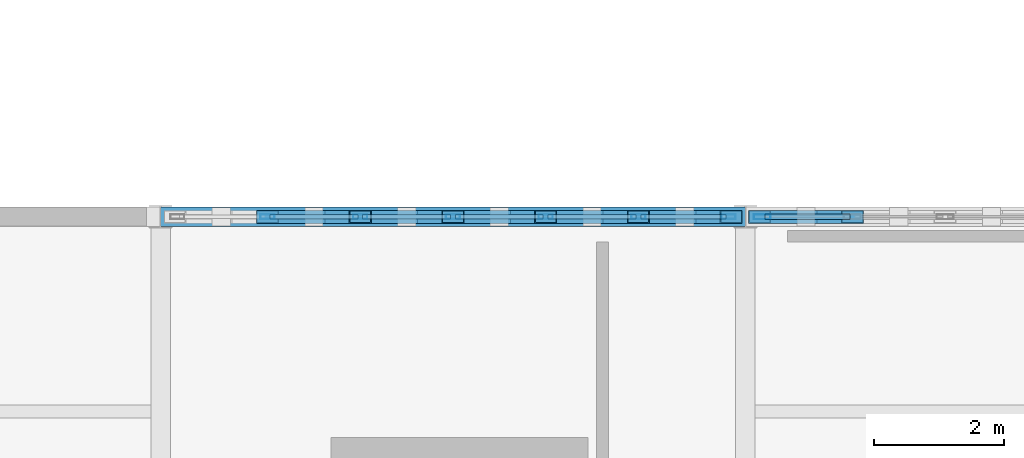
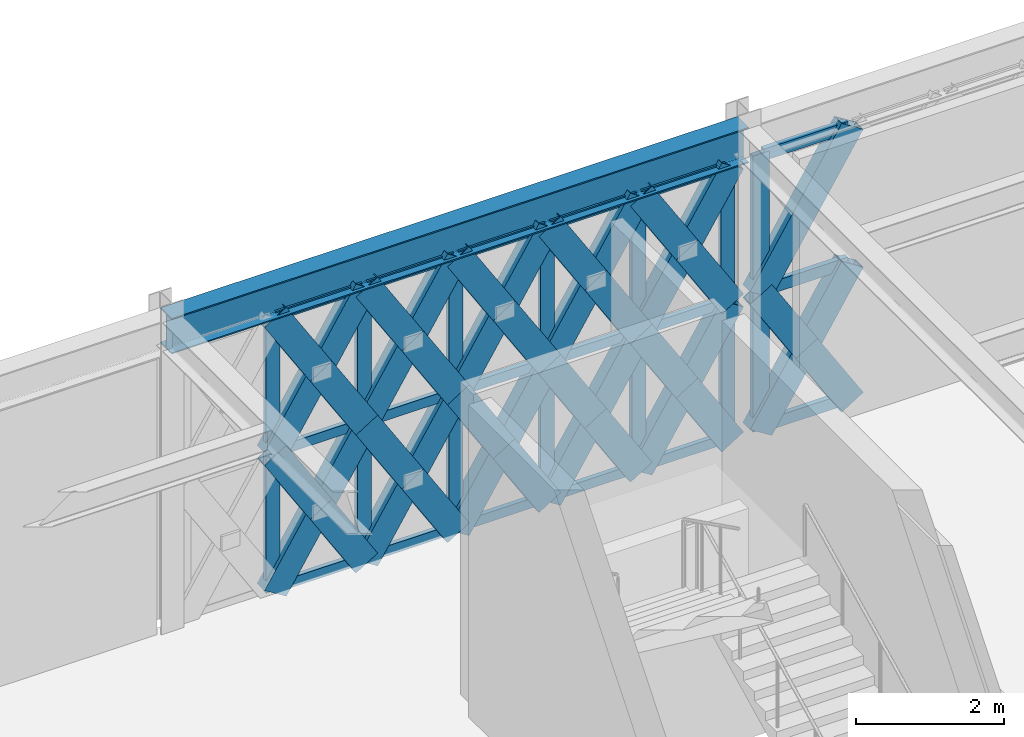
# One storey, part 118 of 166: 59 members, 1 beam, 2 elements without a shape of their own.
"""IFC4 building model written with IfcOpenShell, lengths in metres."""

from ifc_helpers import new_model, si_unit, direction, frame, origin, origin_2d, place, context, subcontext, project, spatial, hollow_rectangle, i_section, extrude, material, material_profile, profile_set, type_object, element, aggregate, save


model = new_model("IFC4")

# Units and contexts
model_context = context("Model", 3, precision=1e-05, world=origin(), true_north=direction((0.0, 1.0)))
body_context = subcontext(model_context, "Body", "Model", "MODEL_VIEW")
ifc_project = project(units=[si_unit("LENGTHUNIT", "METRE"), si_unit("AREAUNIT", "SQUARE_METRE"), si_unit("VOLUMEUNIT", "CUBIC_METRE"), si_unit("PLANEANGLEUNIT", "RADIAN"), si_unit("MASSUNIT", "GRAM", prefix="KILO")], contexts=[model_context])

# Site, building, storey
site_placement = place(None, origin())
site = spatial("IfcSite", under=ifc_project, at=site_placement, CompositionType="ELEMENT")
building_placement = place(site_placement, origin())
building = spatial("IfcBuilding", under=site, at=building_placement, Name="Haizhuo Lancet Aquarium", CompositionType="ELEMENT")
storey_placement = place(building_placement, frame((0.0, 0.0, 5.39990234375)))
storey = spatial("IfcBuildingStorey", under=building, at=storey_placement, Name="L01", CompositionType="ELEMENT", Elevation=5.39990234375)

# Beam
ifc_material_1 = material(Name="Steel S355", Category="steel")
ifc_material_profile_1 = material_profile(ifc_material_1, i_section(OverallWidth=0.300048828125, OverallDepth=0.587890625, WebThickness=0.011962890625, FlangeThickness=0.02001953125, FilletRadius=0.02587890625, at=origin_2d()), Name="HM 588x300x12x20")
ifc_profile_set_1 = profile_set([ifc_material_profile_1], Name="Steel S355")
beam_type = type_object("IfcBeamType", Name="BM-ST-HM588", PredefinedType="BEAM", material=ifc_profile_set_1)
beam_placement = place(storey_placement, frame((45.0, 36.0, 4.84619140625), z_axis=(1.0, 0.0, 0.0), x_axis=(0.0, 1.0, 0.0)))
element("IfcBeam", 1, at=beam_placement, inside=storey, type_object=beam_type, Name="L01 V7 primary girder BM-L01-V7-013", PredefinedType="BEAM", context=body_context, shape_type="SweptSolid", body=[
    extrude(i_section(OverallWidth=0.300048828125, OverallDepth=0.587890625, WebThickness=0.011962890625, FlangeThickness=0.02001953125, FilletRadius=0.02587890625, at=origin_2d()), origin(), (0.0, 0.0, 1.0), 9.0),
])

# Curtain wall, members
ifc_material_2 = material(Name="Aluminium 6063-T6", Category="aluminium")
curtain_wall_type = type_object("IfcCurtainWallType", Name="CWD-8560x4550", PredefinedType="NOTDEFINED", material=ifc_material_2)
curtain_wall_1_placement = place(storey_placement, origin())
curtain_wall_1 = element("IfcCurtainWall", 2, at=curtain_wall_1_placement, inside=storey, type_object=curtain_wall_type, Name="L01 curtain wall CW-V7-L01-284", PredefinedType="NOTDEFINED")
ifc_material_profile_2 = material_profile(ifc_material_2, hollow_rectangle(XDim=0.074951171875, YDim=0.219970703125, WallThickness=0.0048828125, at=origin_2d()), Name="ALU-M 75x220x5")
ifc_profile_set_2 = profile_set([ifc_material_profile_2], Name="Aluminium 6063-T6")
member_type_1 = type_object("IfcMemberType", Name="CW-MUL-2", PredefinedType="MULLION", material=ifc_profile_set_2)
member_1_placement = place(storey_placement, frame((46.64697265625, 36.0, 0.0), z_axis=(0.0, 0.0, 1.0), x_axis=(0.0, 1.0, 0.0)))
member_1 = element("IfcMember", 3, at=member_1_placement, type_object=member_type_1, Name="CWD-85x45 mullion 2", PredefinedType="MULLION", context=body_context, shape_type="SweptSolid", body=[
    extrude(hollow_rectangle(XDim=0.074951171875, YDim=0.219970703125, WallThickness=0.0048828125, at=origin_2d()), origin(), (0.0, 0.0, 1.0), 4.552001953125),
])
member_2_placement = place(storey_placement, frame((48.072998046875, 36.0, 0.0), z_axis=(0.0, 0.0, 1.0), x_axis=(0.0, 1.0, 0.0)))
member_2 = element("IfcMember", 4, at=member_2_placement, type_object=member_type_1, Name="CWD-85x45 mullion 3", PredefinedType="MULLION", context=body_context, shape_type="SweptSolid", body=[
    extrude(hollow_rectangle(XDim=0.074951171875, YDim=0.219970703125, WallThickness=0.0048828125, at=origin_2d()), origin(), (0.0, 0.0, 1.0), 4.552001953125),
])
member_3_placement = place(storey_placement, frame((49.5, 36.0, 0.0), z_axis=(0.0, 0.0, 1.0), x_axis=(0.0, 1.0, 0.0)))
member_3 = element("IfcMember", 5, at=member_3_placement, type_object=member_type_1, Name="CWD-85x45 mullion 4", PredefinedType="MULLION", context=body_context, shape_type="SweptSolid", body=[
    extrude(hollow_rectangle(XDim=0.074951171875, YDim=0.219970703125, WallThickness=0.0048828125, at=origin_2d()), origin(), (0.0, 0.0, 1.0), 4.552001953125),
])
member_4_placement = place(storey_placement, frame((50.927001953125, 36.0, 0.0), z_axis=(0.0, 0.0, 1.0), x_axis=(0.0, 1.0, 0.0)))
member_4 = element("IfcMember", 6, at=member_4_placement, type_object=member_type_1, Name="CWD-85x45 mullion 5", PredefinedType="MULLION", context=body_context, shape_type="SweptSolid", body=[
    extrude(hollow_rectangle(XDim=0.074951171875, YDim=0.219970703125, WallThickness=0.0048828125, at=origin_2d()), origin(), (0.0, 0.0, 1.0), 4.552001953125),
])
member_5_placement = place(storey_placement, frame((52.35302734375, 36.0, 0.0), z_axis=(0.0, 0.0, 1.0), x_axis=(0.0, 1.0, 0.0)))
member_5 = element("IfcMember", 7, at=member_5_placement, type_object=member_type_1, Name="CWD-85x45 mullion 6", PredefinedType="MULLION", context=body_context, shape_type="SweptSolid", body=[
    extrude(hollow_rectangle(XDim=0.074951171875, YDim=0.219970703125, WallThickness=0.0048828125, at=origin_2d()), origin(), (0.0, 0.0, 1.0), 4.552001953125),
])
member_6_placement = place(storey_placement, frame((53.741943359375, 36.0, 0.0), z_axis=(0.0, 0.0, 1.0), x_axis=(0.0, 1.0, 0.0)))
member_6 = element("IfcMember", 8, at=member_6_placement, type_object=member_type_1, Name="CWD-85x45 mullion 7", PredefinedType="MULLION", context=body_context, shape_type="SweptSolid", body=[
    extrude(hollow_rectangle(XDim=0.074951171875, YDim=0.219970703125, WallThickness=0.0048828125, at=origin_2d()), origin(), (0.0, 0.0, 1.0), 4.552001953125),
])

# Curtain wall, member
curtain_wall_2_placement = place(storey_placement, origin())
curtain_wall_2 = element("IfcCurtainWall", 9, at=curtain_wall_2_placement, inside=storey, type_object=curtain_wall_type, Name="L01 curtain wall CW-V7-L01-285", PredefinedType="NOTDEFINED")
ifc_material_profile_3 = material_profile(ifc_material_2, hollow_rectangle(XDim=0.080078125, YDim=0.260009765625, WallThickness=0.0048828125, at=origin_2d()), Name="ALU-M 80x260x5")
ifc_profile_set_3 = profile_set([ifc_material_profile_3], Name="Aluminium 6063-T6")
member_type_2 = type_object("IfcMemberType", Name="CW-MUL-3", PredefinedType="MULLION", material=ifc_profile_set_3)
member_7_placement = place(storey_placement, frame((54.260009765625, 36.0, 0.0), z_axis=(0.0, 0.0, 1.0), x_axis=(0.0, 1.0, 0.0)))
member_7 = element("IfcMember", 10, at=member_7_placement, type_object=member_type_2, Name="CWD-85x45 mullion 1", PredefinedType="MULLION", context=body_context, shape_type="SweptSolid", body=[
    extrude(hollow_rectangle(XDim=0.080078125, YDim=0.260009765625, WallThickness=0.0048828125, at=origin_2d()), origin(), (0.0, 0.0, 1.0), 4.552001953125),
])

# Member
ifc_material_profile_4 = material_profile(ifc_material_2, hollow_rectangle(XDim=0.074951171875, YDim=0.159912109375, WallThickness=0.00390625, at=origin_2d()), Name="ALU-T 75x160x4")
ifc_profile_set_4 = profile_set([ifc_material_profile_4], Name="Aluminium 6063-T6")
member_type_3 = type_object("IfcMemberType", Name="CW-TRN-2", PredefinedType="NOTDEFINED", material=ifc_profile_set_4)
member_8_placement = place(storey_placement, frame((46.68408203125, 36.0, 0.0380859375), z_axis=(1.0, 0.0, 0.0), x_axis=(0.0, 1.0, 0.0)))
member_8 = element("IfcMember", 11, at=member_8_placement, type_object=member_type_3, Name="CWD-85x45 transom 2.1", ObjectType="TRANSOM", PredefinedType="USERDEFINED", context=body_context, shape_type="SweptSolid", body=[
    extrude(hollow_rectangle(XDim=0.074951171875, YDim=0.159912109375, WallThickness=0.00390625, at=origin_2d()), origin(), (0.0, 0.0, 1.0), 1.351806640625),
])

member_9_placement = place(storey_placement, frame((46.68408203125, 36.0, 2.276123046875), z_axis=(1.0, 0.0, 0.0), x_axis=(0.0, 1.0, 0.0)))
member_9 = element("IfcMember", 12, at=member_9_placement, type_object=member_type_3, Name="CWD-85x45 transom 2.2", ObjectType="TRANSOM", PredefinedType="USERDEFINED", context=body_context, shape_type="SweptSolid", body=[
    extrude(hollow_rectangle(XDim=0.074951171875, YDim=0.159912109375, WallThickness=0.00390625, at=origin_2d()), origin(), (0.0, 0.0, 1.0), 1.351806640625),
])

member_10_placement = place(storey_placement, frame((46.68408203125, 36.0, 4.51513671875), z_axis=(1.0, 0.0, 0.0), x_axis=(0.0, 1.0, 0.0)))
member_10 = element("IfcMember", 13, at=member_10_placement, type_object=member_type_3, Name="CWD-85x45 transom 2.3", ObjectType="TRANSOM", PredefinedType="USERDEFINED", context=body_context, shape_type="SweptSolid", body=[
    extrude(hollow_rectangle(XDim=0.074951171875, YDim=0.159912109375, WallThickness=0.00390625, at=origin_2d()), origin(), (0.0, 0.0, 1.0), 1.351806640625),
])

member_11_placement = place(storey_placement, frame((48.111083984375, 36.0, 0.0380859375), z_axis=(1.0, 0.0, 0.0), x_axis=(0.0, 1.0, 0.0)))
member_11 = element("IfcMember", 14, at=member_11_placement, type_object=member_type_3, Name="CWD-85x45 transom 3.1", ObjectType="TRANSOM", PredefinedType="USERDEFINED", context=body_context, shape_type="SweptSolid", body=[
    extrude(hollow_rectangle(XDim=0.074951171875, YDim=0.159912109375, WallThickness=0.00390625, at=origin_2d()), origin(), (0.0, 0.0, 1.0), 1.350830078125),
])

member_12_placement = place(storey_placement, frame((48.111083984375, 36.0, 2.276123046875), z_axis=(1.0, 0.0, 0.0), x_axis=(0.0, 1.0, 0.0)))
member_12 = element("IfcMember", 15, at=member_12_placement, type_object=member_type_3, Name="CWD-85x45 transom 3.2", ObjectType="TRANSOM", PredefinedType="USERDEFINED", context=body_context, shape_type="SweptSolid", body=[
    extrude(hollow_rectangle(XDim=0.074951171875, YDim=0.159912109375, WallThickness=0.00390625, at=origin_2d()), origin(), (0.0, 0.0, 1.0), 1.350830078125),
])

member_13_placement = place(storey_placement, frame((48.111083984375, 36.0, 4.51513671875), z_axis=(1.0, 0.0, 0.0), x_axis=(0.0, 1.0, 0.0)))
member_13 = element("IfcMember", 16, at=member_13_placement, type_object=member_type_3, Name="CWD-85x45 transom 3.3", ObjectType="TRANSOM", PredefinedType="USERDEFINED", context=body_context, shape_type="SweptSolid", body=[
    extrude(hollow_rectangle(XDim=0.074951171875, YDim=0.159912109375, WallThickness=0.00390625, at=origin_2d()), origin(), (0.0, 0.0, 1.0), 1.350830078125),
])

member_14_placement = place(storey_placement, frame((49.5380859375, 36.0, 0.0380859375), z_axis=(1.0, 0.0, 0.0), x_axis=(0.0, 1.0, 0.0)))
member_14 = element("IfcMember", 17, at=member_14_placement, type_object=member_type_3, Name="CWD-85x45 transom 4.1", ObjectType="TRANSOM", PredefinedType="USERDEFINED", context=body_context, shape_type="SweptSolid", body=[
    extrude(hollow_rectangle(XDim=0.074951171875, YDim=0.159912109375, WallThickness=0.00390625, at=origin_2d()), origin(), (0.0, 0.0, 1.0), 1.350830078125),
])

member_15_placement = place(storey_placement, frame((49.5380859375, 36.0, 2.276123046875), z_axis=(1.0, 0.0, 0.0), x_axis=(0.0, 1.0, 0.0)))
member_15 = element("IfcMember", 18, at=member_15_placement, type_object=member_type_3, Name="CWD-85x45 transom 4.2", ObjectType="TRANSOM", PredefinedType="USERDEFINED", context=body_context, shape_type="SweptSolid", body=[
    extrude(hollow_rectangle(XDim=0.074951171875, YDim=0.159912109375, WallThickness=0.00390625, at=origin_2d()), origin(), (0.0, 0.0, 1.0), 1.350830078125),
])

member_16_placement = place(storey_placement, frame((49.5380859375, 36.0, 4.51513671875), z_axis=(1.0, 0.0, 0.0), x_axis=(0.0, 1.0, 0.0)))
member_16 = element("IfcMember", 19, at=member_16_placement, type_object=member_type_3, Name="CWD-85x45 transom 4.3", ObjectType="TRANSOM", PredefinedType="USERDEFINED", context=body_context, shape_type="SweptSolid", body=[
    extrude(hollow_rectangle(XDim=0.074951171875, YDim=0.159912109375, WallThickness=0.00390625, at=origin_2d()), origin(), (0.0, 0.0, 1.0), 1.350830078125),
])

member_17_placement = place(storey_placement, frame((50.964111328125, 36.0, 0.0380859375), z_axis=(1.0, 0.0, 0.0), x_axis=(0.0, 1.0, 0.0)))
member_17 = element("IfcMember", 20, at=member_17_placement, type_object=member_type_3, Name="CWD-85x45 transom 5.1", ObjectType="TRANSOM", PredefinedType="USERDEFINED", context=body_context, shape_type="SweptSolid", body=[
    extrude(hollow_rectangle(XDim=0.074951171875, YDim=0.159912109375, WallThickness=0.00390625, at=origin_2d()), origin(), (0.0, 0.0, 1.0), 1.351806640625),
])

member_18_placement = place(storey_placement, frame((50.964111328125, 36.0, 2.276123046875), z_axis=(1.0, 0.0, 0.0), x_axis=(0.0, 1.0, 0.0)))
member_18 = element("IfcMember", 21, at=member_18_placement, type_object=member_type_3, Name="CWD-85x45 transom 5.2", ObjectType="TRANSOM", PredefinedType="USERDEFINED", context=body_context, shape_type="SweptSolid", body=[
    extrude(hollow_rectangle(XDim=0.074951171875, YDim=0.159912109375, WallThickness=0.00390625, at=origin_2d()), origin(), (0.0, 0.0, 1.0), 1.351806640625),
])

member_19_placement = place(storey_placement, frame((50.964111328125, 36.0, 4.51513671875), z_axis=(1.0, 0.0, 0.0), x_axis=(0.0, 1.0, 0.0)))
member_19 = element("IfcMember", 22, at=member_19_placement, type_object=member_type_3, Name="CWD-85x45 transom 5.3", ObjectType="TRANSOM", PredefinedType="USERDEFINED", context=body_context, shape_type="SweptSolid", body=[
    extrude(hollow_rectangle(XDim=0.074951171875, YDim=0.159912109375, WallThickness=0.00390625, at=origin_2d()), origin(), (0.0, 0.0, 1.0), 1.351806640625),
])

member_20_placement = place(storey_placement, frame((52.39111328125, 36.0, 0.0380859375), z_axis=(1.0, 0.0, 0.0), x_axis=(0.0, 1.0, 0.0)))
member_20 = element("IfcMember", 23, at=member_20_placement, type_object=member_type_3, Name="CWD-85x45 transom 6.1", ObjectType="TRANSOM", PredefinedType="USERDEFINED", context=body_context, shape_type="SweptSolid", body=[
    extrude(hollow_rectangle(XDim=0.074951171875, YDim=0.159912109375, WallThickness=0.00390625, at=origin_2d()), origin(), (0.0, 0.0, 1.0), 1.31396484375),
])

member_21_placement = place(storey_placement, frame((52.39111328125, 36.0, 2.276123046875), z_axis=(1.0, 0.0, 0.0), x_axis=(0.0, 1.0, 0.0)))
member_21 = element("IfcMember", 24, at=member_21_placement, type_object=member_type_3, Name="CWD-85x45 transom 6.2", ObjectType="TRANSOM", PredefinedType="USERDEFINED", context=body_context, shape_type="SweptSolid", body=[
    extrude(hollow_rectangle(XDim=0.074951171875, YDim=0.159912109375, WallThickness=0.00390625, at=origin_2d()), origin(), (0.0, 0.0, 1.0), 1.31396484375),
])

member_22_placement = place(storey_placement, frame((52.39111328125, 36.0, 4.51513671875), z_axis=(1.0, 0.0, 0.0), x_axis=(0.0, 1.0, 0.0)))
member_22 = element("IfcMember", 25, at=member_22_placement, type_object=member_type_3, Name="CWD-85x45 transom 6.3", ObjectType="TRANSOM", PredefinedType="USERDEFINED", context=body_context, shape_type="SweptSolid", body=[
    extrude(hollow_rectangle(XDim=0.074951171875, YDim=0.159912109375, WallThickness=0.00390625, at=origin_2d()), origin(), (0.0, 0.0, 1.0), 1.31396484375),
])

aggregate(curtain_wall_1, [member_1, member_2, member_3, member_4, member_5, member_6, member_8, member_9, member_10, member_11, member_12, member_13, member_14, member_15, member_16, member_17, member_18, member_19, member_20, member_21, member_22])

ifc_material_profile_5 = material_profile(ifc_material_2, hollow_rectangle(XDim=0.080078125, YDim=0.18994140625, WallThickness=0.0048828125, at=origin_2d()), Name="ALU-T 80x190x5")
ifc_profile_set_5 = profile_set([ifc_material_profile_5], Name="Aluminium 6063-T6")
member_type_4 = type_object("IfcMemberType", Name="CW-TRN-3", PredefinedType="NOTDEFINED", material=ifc_profile_set_5)
member_23_placement = place(storey_placement, frame((54.300048828125, 36.0, 0.0400390625), z_axis=(1.0, 0.0, 0.0), x_axis=(0.0, 1.0, 0.0)))
member_23 = element("IfcMember", 26, at=member_23_placement, type_object=member_type_4, Name="CWD-85x45 transom 1.1", ObjectType="TRANSOM", PredefinedType="USERDEFINED", context=body_context, shape_type="SweptSolid", body=[
    extrude(hollow_rectangle(XDim=0.080078125, YDim=0.18994140625, WallThickness=0.0048828125, at=origin_2d()), origin(), (0.0, 0.0, 1.0), 1.306884765625),
])

member_24_placement = place(storey_placement, frame((54.300048828125, 36.0, 2.276123046875), z_axis=(1.0, 0.0, 0.0), x_axis=(0.0, 1.0, 0.0)))
member_24 = element("IfcMember", 27, at=member_24_placement, type_object=member_type_4, Name="CWD-85x45 transom 1.2", ObjectType="TRANSOM", PredefinedType="USERDEFINED", context=body_context, shape_type="SweptSolid", body=[
    extrude(hollow_rectangle(XDim=0.080078125, YDim=0.18994140625, WallThickness=0.0048828125, at=origin_2d()), origin(), (0.0, 0.0, 1.0), 1.306884765625),
])

member_25_placement = place(storey_placement, frame((54.300048828125, 36.0, 4.51220703125), z_axis=(1.0, 0.0, 0.0), x_axis=(0.0, 1.0, 0.0)))
member_25 = element("IfcMember", 28, at=member_25_placement, type_object=member_type_4, Name="CWD-85x45 transom 1.3", ObjectType="TRANSOM", PredefinedType="USERDEFINED", context=body_context, shape_type="SweptSolid", body=[
    extrude(hollow_rectangle(XDim=0.080078125, YDim=0.18994140625, WallThickness=0.0048828125, at=origin_2d()), origin(), (0.0, 0.0, 1.0), 1.306884765625),
])

aggregate(curtain_wall_2, [member_7, member_23, member_24, member_25])

# Members
ifc_material_profile_6 = material_profile(ifc_material_1, hollow_rectangle(XDim=0.199951171875, YDim=0.39990234375, WallThickness=0.011962890625, at=origin_2d()), Name="RHS 200x400x12")
ifc_profile_set_6 = profile_set([ifc_material_profile_6], Name="Steel S355")
member_type_5 = type_object("IfcMemberType", Name="MEM-LB-RHS200x400", PredefinedType="BRACE", material=ifc_profile_set_6)
member_26_placement = place(storey_placement, frame((46.64697265625, 36.0, 0.0), z_axis=(0.53092188125, 0.0, 0.847420766803), x_axis=(0.0, 1.0, 0.0)))
element("IfcMember", 29, at=member_26_placement, inside=storey, type_object=member_type_5, Name="Gothic lancet continuous diagonal brace CW-V7-L01-284 3A", PredefinedType="BRACE", context=body_context, shape_type="SweptSolid", body=[
    extrude(hollow_rectangle(XDim=0.199951171875, YDim=0.39990234375, WallThickness=0.011962890625, at=origin_2d()), origin(), (0.0, 0.0, 1.0), 2.68603515625),
])
for number, where, z_axis, x_axis, name in (
    (30, (48.072998046875, 36.0, 0.0), (-0.530815710653, 0.0, 0.847487275022), (0.0, -1.0, 0.0), "Gothic lancet split diagonal brace CW-V7-L01-284 3B1"),
    (31, (47.360107421875, 36.0, 1.13818359375), (-0.531028049623, 0.0, 0.847354241456), (0.0, -1.0, 0.0), "Gothic lancet split diagonal brace CW-V7-L01-284 3B2"),
):
    element("IfcMember", number, at=place(storey_placement, frame(where, z_axis=z_axis, x_axis=x_axis)), inside=storey, type_object=member_type_5, Name=name, PredefinedType="BRACE", context=body_context, shape_type="SweptSolid", body=[
        extrude(hollow_rectangle(XDim=0.199951171875, YDim=0.39990234375, WallThickness=0.011962890625, at=origin_2d()), origin(), (0.0, 0.0, 1.0), 1.343017578125),
    ])
member_27_placement = place(storey_placement, frame((46.64697265625, 36.0, 2.276123046875), z_axis=(0.530962779059, 0.0, 0.847395142336), x_axis=(0.0, 1.0, 0.0)))
element("IfcMember", 32, at=member_27_placement, inside=storey, type_object=member_type_5, Name="Gothic lancet continuous diagonal brace CW-V7-L01-284 4A", PredefinedType="BRACE", context=body_context, shape_type="SweptSolid", body=[
    extrude(hollow_rectangle(XDim=0.199951171875, YDim=0.39990234375, WallThickness=0.011962890625, at=origin_2d()), origin(), (0.0, 0.0, 1.0), 2.685791015625),
])
member_28_placement = place(storey_placement, frame((48.072998046875, 36.0, 2.276123046875), z_axis=(-0.530897499042, 0.0, 0.847436042136), x_axis=(0.0, -1.0, 0.0)))
element("IfcMember", 33, at=member_28_placement, inside=storey, type_object=member_type_5, Name="Gothic lancet split diagonal brace CW-V7-L01-284 4B1", PredefinedType="BRACE", context=body_context, shape_type="SweptSolid", body=[
    extrude(hollow_rectangle(XDim=0.199951171875, YDim=0.39990234375, WallThickness=0.011962890625, at=origin_2d()), origin(), (0.0, 0.0, 1.0), 1.3427734375),
])
member_29_placement = place(storey_placement, frame((47.360107421875, 36.0, 3.4140625), z_axis=(-0.531028049623, 0.0, 0.847354241456), x_axis=(0.0, -1.0, 0.0)))
element("IfcMember", 34, at=member_29_placement, inside=storey, type_object=member_type_5, Name="Gothic lancet split diagonal brace CW-V7-L01-284 4B2", PredefinedType="BRACE", context=body_context, shape_type="SweptSolid", body=[
    extrude(hollow_rectangle(XDim=0.199951171875, YDim=0.39990234375, WallThickness=0.011962890625, at=origin_2d()), origin(), (0.0, 0.0, 1.0), 1.343017578125),
])
member_30_placement = place(storey_placement, frame((48.072998046875, 36.0, 0.0), z_axis=(0.531182902496, 0.0, 0.84725717707), x_axis=(0.0, 1.0, 0.0)))
element("IfcMember", 35, at=member_30_placement, inside=storey, type_object=member_type_5, Name="Gothic lancet continuous diagonal brace CW-V7-L01-284 5A", PredefinedType="BRACE", context=body_context, shape_type="SweptSolid", body=[
    extrude(hollow_rectangle(XDim=0.199951171875, YDim=0.39990234375, WallThickness=0.011962890625, at=origin_2d()), origin(), (0.0, 0.0, 1.0), 2.6865234375),
])
member_31_placement = place(storey_placement, frame((49.5, 36.0, 0.0), z_axis=(-0.530815710653, 0.0, 0.847487275022), x_axis=(0.0, -1.0, 0.0)))
element("IfcMember", 36, at=member_31_placement, inside=storey, type_object=member_type_5, Name="Gothic lancet split diagonal brace CW-V7-L01-284 5B1", PredefinedType="BRACE", context=body_context, shape_type="SweptSolid", body=[
    extrude(hollow_rectangle(XDim=0.199951171875, YDim=0.39990234375, WallThickness=0.011962890625, at=origin_2d()), origin(), (0.0, 0.0, 1.0), 1.343017578125),
])
member_32_placement = place(storey_placement, frame((48.787109375, 36.0, 1.13818359375), z_axis=(-0.531549873957, 0.0, 0.847026995731), x_axis=(0.0, -1.0, 0.0)))
element("IfcMember", 37, at=member_32_placement, inside=storey, type_object=member_type_5, Name="Gothic lancet split diagonal brace CW-V7-L01-284 5B2", PredefinedType="BRACE", context=body_context, shape_type="SweptSolid", body=[
    extrude(hollow_rectangle(XDim=0.199951171875, YDim=0.39990234375, WallThickness=0.011962890625, at=origin_2d()), origin(), (0.0, 0.0, 1.0), 1.343505859375),
])
member_33_placement = place(storey_placement, frame((48.072998046875, 36.0, 2.276123046875), z_axis=(0.531223804613, 0.0, 0.847231532353), x_axis=(0.0, 1.0, 0.0)))
element("IfcMember", 38, at=member_33_placement, inside=storey, type_object=member_type_5, Name="Gothic lancet continuous diagonal brace CW-V7-L01-284 6A", PredefinedType="BRACE", context=body_context, shape_type="SweptSolid", body=[
    extrude(hollow_rectangle(XDim=0.199951171875, YDim=0.39990234375, WallThickness=0.011962890625, at=origin_2d()), origin(), (0.0, 0.0, 1.0), 2.686279296875),
])
member_34_placement = place(storey_placement, frame((49.5, 36.0, 2.276123046875), z_axis=(-0.530897499042, 0.0, 0.847436042136), x_axis=(0.0, -1.0, 0.0)))
element("IfcMember", 39, at=member_34_placement, inside=storey, type_object=member_type_5, Name="Gothic lancet split diagonal brace CW-V7-L01-284 6B1", PredefinedType="BRACE", context=body_context, shape_type="SweptSolid", body=[
    extrude(hollow_rectangle(XDim=0.199951171875, YDim=0.39990234375, WallThickness=0.011962890625, at=origin_2d()), origin(), (0.0, 0.0, 1.0), 1.3427734375),
])
member_35_placement = place(storey_placement, frame((48.787109375, 36.0, 3.4140625), z_axis=(-0.531549873957, 0.0, 0.847026995731), x_axis=(0.0, -1.0, 0.0)))
element("IfcMember", 40, at=member_35_placement, inside=storey, type_object=member_type_5, Name="Gothic lancet split diagonal brace CW-V7-L01-284 6B2", PredefinedType="BRACE", context=body_context, shape_type="SweptSolid", body=[
    extrude(hollow_rectangle(XDim=0.199951171875, YDim=0.39990234375, WallThickness=0.011962890625, at=origin_2d()), origin(), (0.0, 0.0, 1.0), 1.343505859375),
])
member_36_placement = place(storey_placement, frame((49.5, 36.0, 0.0), z_axis=(0.531182902496, 0.0, 0.84725717707), x_axis=(0.0, 1.0, 0.0)))
element("IfcMember", 41, at=member_36_placement, inside=storey, type_object=member_type_5, Name="Gothic lancet continuous diagonal brace CW-V7-L01-284 7A", PredefinedType="BRACE", context=body_context, shape_type="SweptSolid", body=[
    extrude(hollow_rectangle(XDim=0.199951171875, YDim=0.39990234375, WallThickness=0.011962890625, at=origin_2d()), origin(), (0.0, 0.0, 1.0), 2.6865234375),
])
member_37_placement = place(storey_placement, frame((50.927001953125, 36.0, 0.0), z_axis=(-0.531468064081, 0.0, 0.847078329827), x_axis=(0.0, -1.0, 0.0)))
element("IfcMember", 42, at=member_37_placement, inside=storey, type_object=member_type_5, Name="Gothic lancet split diagonal brace CW-V7-L01-284 7B1", PredefinedType="BRACE", context=body_context, shape_type="SweptSolid", body=[
    extrude(hollow_rectangle(XDim=0.199951171875, YDim=0.39990234375, WallThickness=0.011962890625, at=origin_2d()), origin(), (0.0, 0.0, 1.0), 1.34375),
])
member_38_placement = place(storey_placement, frame((50.212890625, 36.0, 1.13818359375), z_axis=(-0.530897499042, 0.0, 0.847436042136), x_axis=(0.0, -1.0, 0.0)))
element("IfcMember", 43, at=member_38_placement, inside=storey, type_object=member_type_5, Name="Gothic lancet split diagonal brace CW-V7-L01-284 7B2", PredefinedType="BRACE", context=body_context, shape_type="SweptSolid", body=[
    extrude(hollow_rectangle(XDim=0.199951171875, YDim=0.39990234375, WallThickness=0.011962890625, at=origin_2d()), origin(), (0.0, 0.0, 1.0), 1.3427734375),
])
member_39_placement = place(storey_placement, frame((49.5, 36.0, 2.276123046875), z_axis=(0.531223804613, 0.0, 0.847231532353), x_axis=(0.0, 1.0, 0.0)))
element("IfcMember", 44, at=member_39_placement, inside=storey, type_object=member_type_5, Name="Gothic lancet continuous diagonal brace CW-V7-L01-284 8A", PredefinedType="BRACE", context=body_context, shape_type="SweptSolid", body=[
    extrude(hollow_rectangle(XDim=0.199951171875, YDim=0.39990234375, WallThickness=0.011962890625, at=origin_2d()), origin(), (0.0, 0.0, 1.0), 2.686279296875),
])
member_40_placement = place(storey_placement, frame((50.927001953125, 36.0, 2.276123046875), z_axis=(-0.531549873957, 0.0, 0.847026995731), x_axis=(0.0, -1.0, 0.0)))
element("IfcMember", 45, at=member_40_placement, inside=storey, type_object=member_type_5, Name="Gothic lancet split diagonal brace CW-V7-L01-284 8B1", PredefinedType="BRACE", context=body_context, shape_type="SweptSolid", body=[
    extrude(hollow_rectangle(XDim=0.199951171875, YDim=0.39990234375, WallThickness=0.011962890625, at=origin_2d()), origin(), (0.0, 0.0, 1.0), 1.343505859375),
])
member_41_placement = place(storey_placement, frame((50.212890625, 36.0, 3.4140625), z_axis=(-0.530897499042, 0.0, 0.847436042136), x_axis=(0.0, -1.0, 0.0)))
element("IfcMember", 46, at=member_41_placement, inside=storey, type_object=member_type_5, Name="Gothic lancet split diagonal brace CW-V7-L01-284 8B2", PredefinedType="BRACE", context=body_context, shape_type="SweptSolid", body=[
    extrude(hollow_rectangle(XDim=0.199951171875, YDim=0.39990234375, WallThickness=0.011962890625, at=origin_2d()), origin(), (0.0, 0.0, 1.0), 1.3427734375),
])
member_42_placement = place(storey_placement, frame((50.927001953125, 36.0, 0.0), z_axis=(0.53092188125, 0.0, 0.847420766803), x_axis=(0.0, 1.0, 0.0)))
element("IfcMember", 47, at=member_42_placement, inside=storey, type_object=member_type_5, Name="Gothic lancet continuous diagonal brace CW-V7-L01-284 9A", PredefinedType="BRACE", context=body_context, shape_type="SweptSolid", body=[
    extrude(hollow_rectangle(XDim=0.199951171875, YDim=0.39990234375, WallThickness=0.011962890625, at=origin_2d()), origin(), (0.0, 0.0, 1.0), 2.68603515625),
])
member_43_placement = place(storey_placement, frame((52.35302734375, 36.0, 0.0), z_axis=(-0.530946256911, 0.0, 0.847405494597), x_axis=(0.0, -1.0, 0.0)))
element("IfcMember", 48, at=member_43_placement, inside=storey, type_object=member_type_5, Name="Gothic lancet split diagonal brace CW-V7-L01-284 9B1", PredefinedType="BRACE", context=body_context, shape_type="SweptSolid", body=[
    extrude(hollow_rectangle(XDim=0.199951171875, YDim=0.39990234375, WallThickness=0.011962890625, at=origin_2d()), origin(), (0.0, 0.0, 1.0), 1.343017578125),
])
member_44_placement = place(storey_placement, frame((51.639892578125, 36.0, 1.13818359375), z_axis=(-0.530897499042, 0.0, 0.847436042136), x_axis=(0.0, -1.0, 0.0)))
element("IfcMember", 49, at=member_44_placement, inside=storey, type_object=member_type_5, Name="Gothic lancet split diagonal brace CW-V7-L01-284 9B2", PredefinedType="BRACE", context=body_context, shape_type="SweptSolid", body=[
    extrude(hollow_rectangle(XDim=0.199951171875, YDim=0.39990234375, WallThickness=0.011962890625, at=origin_2d()), origin(), (0.0, 0.0, 1.0), 1.3427734375),
])
member_45_placement = place(storey_placement, frame((50.927001953125, 36.0, 2.276123046875), z_axis=(0.530962779059, 0.0, 0.847395142336), x_axis=(0.0, 1.0, 0.0)))
element("IfcMember", 50, at=member_45_placement, inside=storey, type_object=member_type_5, Name="Gothic lancet continuous diagonal brace CW-V7-L01-284 10A", PredefinedType="BRACE", context=body_context, shape_type="SweptSolid", body=[
    extrude(hollow_rectangle(XDim=0.199951171875, YDim=0.39990234375, WallThickness=0.011962890625, at=origin_2d()), origin(), (0.0, 0.0, 1.0), 2.685791015625),
])
member_46_placement = place(storey_placement, frame((52.35302734375, 36.0, 2.276123046875), z_axis=(-0.531028049623, 0.0, 0.847354241456), x_axis=(0.0, -1.0, 0.0)))
element("IfcMember", 51, at=member_46_placement, inside=storey, type_object=member_type_5, Name="Gothic lancet split diagonal brace CW-V7-L01-284 10B1", PredefinedType="BRACE", context=body_context, shape_type="SweptSolid", body=[
    extrude(hollow_rectangle(XDim=0.199951171875, YDim=0.39990234375, WallThickness=0.011962890625, at=origin_2d()), origin(), (0.0, 0.0, 1.0), 1.343017578125),
])
member_47_placement = place(storey_placement, frame((51.639892578125, 36.0, 3.4140625), z_axis=(-0.530897499042, 0.0, 0.847436042136), x_axis=(0.0, -1.0, 0.0)))
element("IfcMember", 52, at=member_47_placement, inside=storey, type_object=member_type_5, Name="Gothic lancet split diagonal brace CW-V7-L01-284 10B2", PredefinedType="BRACE", context=body_context, shape_type="SweptSolid", body=[
    extrude(hollow_rectangle(XDim=0.199951171875, YDim=0.39990234375, WallThickness=0.011962890625, at=origin_2d()), origin(), (0.0, 0.0, 1.0), 1.3427734375),
])
member_48_placement = place(storey_placement, frame((52.35302734375, 36.0, 0.0), z_axis=(0.531182902496, 0.0, 0.84725717707), x_axis=(0.0, 1.0, 0.0)))
element("IfcMember", 53, at=member_48_placement, inside=storey, type_object=member_type_5, Name="Gothic lancet continuous diagonal brace CW-V7-L01-284 11A", PredefinedType="BRACE", context=body_context, shape_type="SweptSolid", body=[
    extrude(hollow_rectangle(XDim=0.199951171875, YDim=0.39990234375, WallThickness=0.011962890625, at=origin_2d()), origin(), (0.0, 0.0, 1.0), 2.6865234375),
])
member_49_placement = place(storey_placement, frame((53.780029296875, 36.0, 0.0), z_axis=(-0.530946256911, 0.0, 0.847405494597), x_axis=(0.0, -1.0, 0.0)))
element("IfcMember", 54, at=member_49_placement, inside=storey, type_object=member_type_5, Name="Gothic lancet split diagonal brace CW-V7-L01-284 11B1", PredefinedType="BRACE", context=body_context, shape_type="SweptSolid", body=[
    extrude(hollow_rectangle(XDim=0.199951171875, YDim=0.39990234375, WallThickness=0.011962890625, at=origin_2d()), origin(), (0.0, 0.0, 1.0), 1.343017578125),
])
member_50_placement = place(storey_placement, frame((53.06689453125, 36.0, 1.13818359375), z_axis=(-0.531419474561, 0.0, 0.847108813587), x_axis=(0.0, -1.0, 0.0)))
element("IfcMember", 55, at=member_50_placement, inside=storey, type_object=member_type_5, Name="Gothic lancet split diagonal brace CW-V7-L01-284 11B2", PredefinedType="BRACE", context=body_context, shape_type="SweptSolid", body=[
    extrude(hollow_rectangle(XDim=0.199951171875, YDim=0.39990234375, WallThickness=0.011962890625, at=origin_2d()), origin(), (0.0, 0.0, 1.0), 1.34326171875),
])
member_51_placement = place(storey_placement, frame((52.35302734375, 36.0, 2.276123046875), z_axis=(0.531223804613, 0.0, 0.847231532353), x_axis=(0.0, 1.0, 0.0)))
element("IfcMember", 56, at=member_51_placement, inside=storey, type_object=member_type_5, Name="Gothic lancet continuous diagonal brace CW-V7-L01-284 12A", PredefinedType="BRACE", context=body_context, shape_type="SweptSolid", body=[
    extrude(hollow_rectangle(XDim=0.199951171875, YDim=0.39990234375, WallThickness=0.011962890625, at=origin_2d()), origin(), (0.0, 0.0, 1.0), 2.686279296875),
])
member_52_placement = place(storey_placement, frame((53.780029296875, 36.0, 2.276123046875), z_axis=(-0.531028049623, 0.0, 0.847354241456), x_axis=(0.0, -1.0, 0.0)))
element("IfcMember", 57, at=member_52_placement, inside=storey, type_object=member_type_5, Name="Gothic lancet split diagonal brace CW-V7-L01-284 12B1", PredefinedType="BRACE", context=body_context, shape_type="SweptSolid", body=[
    extrude(hollow_rectangle(XDim=0.199951171875, YDim=0.39990234375, WallThickness=0.011962890625, at=origin_2d()), origin(), (0.0, 0.0, 1.0), 1.343017578125),
])
member_53_placement = place(storey_placement, frame((53.06689453125, 36.0, 3.4140625), z_axis=(-0.531419474561, 0.0, 0.847108813587), x_axis=(0.0, -1.0, 0.0)))
element("IfcMember", 58, at=member_53_placement, inside=storey, type_object=member_type_5, Name="Gothic lancet split diagonal brace CW-V7-L01-284 12B2", PredefinedType="BRACE", context=body_context, shape_type="SweptSolid", body=[
    extrude(hollow_rectangle(XDim=0.199951171875, YDim=0.39990234375, WallThickness=0.011962890625, at=origin_2d()), origin(), (0.0, 0.0, 1.0), 1.34326171875),
])
member_54_placement = place(storey_placement, frame((54.219970703125, 36.0, 0.0), z_axis=(0.531182902496, 0.0, 0.84725717707), x_axis=(0.0, 1.0, 0.0)))
element("IfcMember", 59, at=member_54_placement, inside=storey, type_object=member_type_5, Name="Gothic lancet continuous diagonal brace CW-V7-L01-285 1A", PredefinedType="BRACE", context=body_context, shape_type="SweptSolid", body=[
    extrude(hollow_rectangle(XDim=0.199951171875, YDim=0.39990234375, WallThickness=0.011962890625, at=origin_2d()), origin(), (0.0, 0.0, 1.0), 2.6865234375),
])
member_55_placement = place(storey_placement, frame((55.64697265625, 36.0, 0.0), z_axis=(-0.531337668957, 0.0, 0.847160127454), x_axis=(0.0, -1.0, 0.0)))
element("IfcMember", 60, at=member_55_placement, inside=storey, type_object=member_type_5, Name="Gothic lancet split diagonal brace CW-V7-L01-285 1B1", PredefinedType="BRACE", context=body_context, shape_type="SweptSolid", body=[
    extrude(hollow_rectangle(XDim=0.199951171875, YDim=0.39990234375, WallThickness=0.011962890625, at=origin_2d()), origin(), (0.0, 0.0, 1.0), 1.343505859375),
])
member_56_placement = place(storey_placement, frame((54.93310546875, 36.0, 1.13818359375), z_axis=(-0.531028049623, 0.0, 0.847354241456), x_axis=(0.0, -1.0, 0.0)))
element("IfcMember", 61, at=member_56_placement, inside=storey, type_object=member_type_5, Name="Gothic lancet split diagonal brace CW-V7-L01-285 1B2", PredefinedType="BRACE", context=body_context, shape_type="SweptSolid", body=[
    extrude(hollow_rectangle(XDim=0.199951171875, YDim=0.39990234375, WallThickness=0.011962890625, at=origin_2d()), origin(), (0.0, 0.0, 1.0), 1.343017578125),
])
member_57_placement = place(storey_placement, frame((54.219970703125, 36.0, 2.276123046875), z_axis=(0.531223804613, 0.0, 0.847231532353), x_axis=(0.0, 1.0, 0.0)))
element("IfcMember", 62, at=member_57_placement, inside=storey, type_object=member_type_5, Name="Gothic lancet continuous diagonal brace CW-V7-L01-285 2A", PredefinedType="BRACE", context=body_context, shape_type="SweptSolid", body=[
    extrude(hollow_rectangle(XDim=0.199951171875, YDim=0.39990234375, WallThickness=0.011962890625, at=origin_2d()), origin(), (0.0, 0.0, 1.0), 2.686279296875),
])

save(model, "model.ifc")
